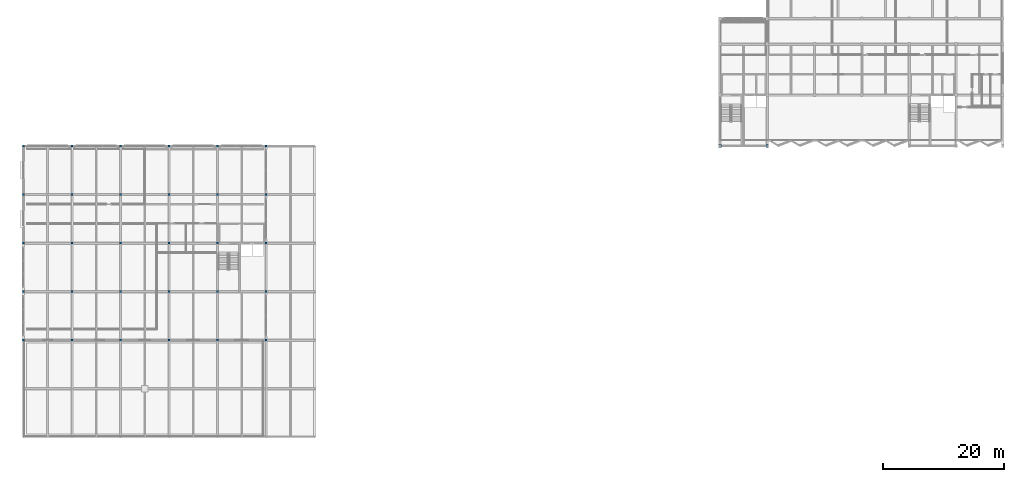
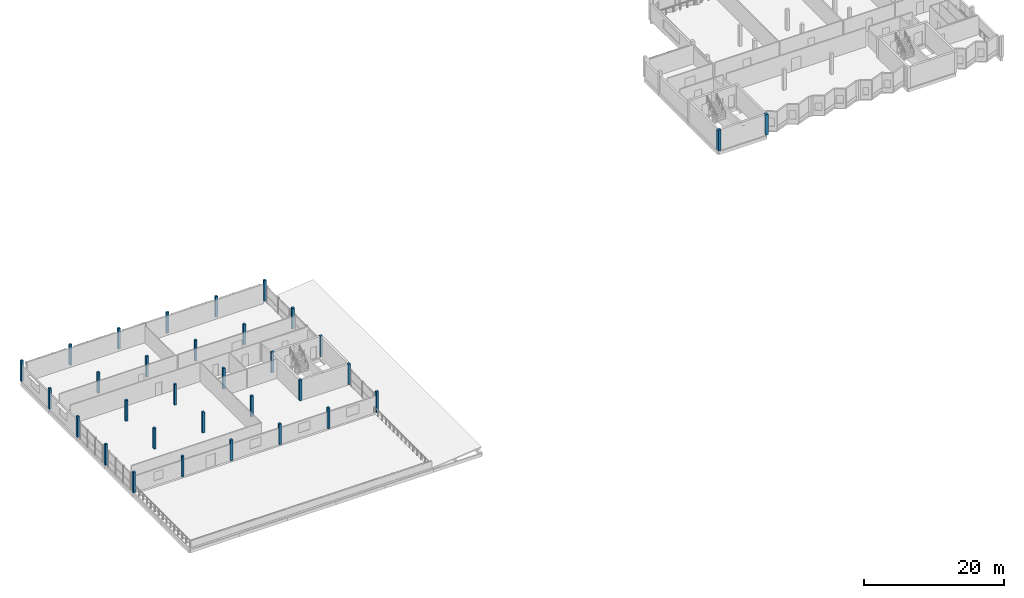
# One storey, part 1 of 25: 32 columns.
"""IFC4 building model written with IfcOpenShell, lengths in metres."""

from ifc_helpers import new_model, si_unit, direction, frame, origin, origin_2d, place, context, subcontext, project, spatial, rectangle, extrude, material, material_profile, profile_set, type_object, element, save


model = new_model("IFC4")

# Units and contexts
model_context = context("Model", 3, precision=1e-05, world=origin(), true_north=direction((0.0, 1.0)))
body_context = subcontext(model_context, "Body", "Model", "MODEL_VIEW")
ifc_project = project(units=[si_unit("LENGTHUNIT", "METRE"), si_unit("AREAUNIT", "SQUARE_METRE"), si_unit("VOLUMEUNIT", "CUBIC_METRE"), si_unit("PLANEANGLEUNIT", "RADIAN"), si_unit("MASSUNIT", "GRAM", prefix="KILO")], contexts=[model_context])

# Site, building, storey
site_placement = place(None, origin())
site = spatial("IfcSite", under=ifc_project, at=site_placement, CompositionType="ELEMENT")
building_placement = place(site_placement, origin())
building = spatial("IfcBuilding", under=site, at=building_placement, Name="Vharandega Faculty of Natural Sciences", CompositionType="ELEMENT")
storey_placement = place(building_placement, frame((0.0, 0.0, 25.199951171875)))
storey = spatial("IfcBuildingStorey", under=building, at=storey_placement, Name="L06", CompositionType="ELEMENT", Elevation=25.199951171875)

# Columns
ifc_material_1 = material(Name="Glulam GL32h", Category="wood")
ifc_material_profile_1 = material_profile(ifc_material_1, rectangle(XDim=0.360107421875, YDim=0.360107421875, at=origin_2d()), Name="GL32h 360x360")
ifc_profile_set_1 = profile_set([ifc_material_profile_1], Name="Glulam GL32h")
column_type_1 = type_object("IfcColumnType", Name="Glulam Column 360x360", PredefinedType="COLUMN", material=ifc_profile_set_1)
for number, where, z_axis, x_axis, name in (
    (1, (0.0, 32.0, 0.0), (0.0, 0.0, 1.0), (1.0, 0.0, 0.0), "Column 1/E L06"),
    (2, (0.0, 40.0, 0.0), (0.0, 0.0, 1.0), (1.0, 0.0, 0.0), "Column 1/F L06"),
    (3, (0.0, 48.0, 0.0), (0.0, 0.0, 1.0), (1.0, 0.0, 0.0), "Column 1/G L06"),
    (4, (0.0, 56.0, 0.0), (0.0, 0.0, 1.0), (1.0, 0.0, 0.0), "Column 1/H L06"),
    (5, (0.0, 64.0, 0.0), (0.0, 0.0, 1.0), (1.0, 0.0, 0.0), "Column 1/J L06"),
    (6, (8.0, 32.0, 0.0), (0.0, 0.0, 1.0), (1.0, 0.0, 0.0), "Column 2/E L06"),
    (7, (8.0, 40.0, 0.0), (0.0, 0.0, 1.0), (1.0, 0.0, 0.0), "Column 2/F L06"),
    (8, (8.0, 48.0, 0.0), (0.0, 0.0, 1.0), (1.0, 0.0, 0.0), "Column 2/G L06"),
    (9, (8.0, 56.0, 0.0), (0.0, 0.0, 1.0), (1.0, 0.0, 0.0), "Column 2/H L06"),
    (10, (8.0, 64.0, 0.0), (0.0, 0.0, 1.0), (1.0, 0.0, 0.0), "Column 2/J L06"),
    (11, (16.0, 32.0, 0.0), (0.0, 0.0, 1.0), (1.0, 0.0, 0.0), "Column 3/E L06"),
    (12, (16.0, 40.0, 0.0), (0.0, 0.0, 1.0), (1.0, 0.0, 0.0), "Column 3/F L06"),
    (13, (16.0, 48.0, 0.0), (0.0, 0.0, 1.0), (1.0, 0.0, 0.0), "Column 3/G L06"),
    (14, (16.0, 56.0, 0.0), (0.0, 0.0, 1.0), (1.0, 0.0, 0.0), "Column 3/H L06"),
    (15, (16.0, 64.0, 0.0), (0.0, 0.0, 1.0), (1.0, 0.0, 0.0), "Column 3/J L06"),
    (16, (24.0, 32.0, 0.0), (0.0, 0.0, 1.0), (1.0, 0.0, 0.0), "Column 4/E L06"),
    (17, (24.0, 40.0, 0.0), (0.0, 0.0, 1.0), (1.0, 0.0, 0.0), "Column 4/F L06"),
    (18, (24.0, 48.0, 0.0), (0.0, 0.0, 1.0), (1.0, 0.0, 0.0), "Column 4/G L06"),
    (19, (24.0, 56.0, 0.0), (0.0, 0.0, 1.0), (1.0, 0.0, 0.0), "Column 4/H L06"),
    (20, (24.0, 64.0, 0.0), (0.0, 0.0, 1.0), (1.0, 0.0, 0.0), "Column 4/J L06"),
    (21, (32.0, 32.0, 0.0), (0.0, 0.0, 1.0), (1.0, 0.0, 0.0), "Column 5/E L06"),
    (22, (32.0, 40.0, 0.0), (0.0, 0.0, 1.0), (1.0, 0.0, 0.0), "Column 5/F L06"),
    (23, (32.0, 48.0, 0.0), (0.0, 0.0, 1.0), (1.0, 0.0, 0.0), "Column 5/G L06"),
    (24, (32.0, 56.0, 0.0), (0.0, 0.0, 1.0), (1.0, 0.0, 0.0), "Column 5/H L06"),
    (25, (32.0, 64.0, 0.0), (0.0, 0.0, 1.0), (1.0, 0.0, 0.0), "Column 5/J L06"),
    (26, (40.0, 32.0, 0.0), (0.0, 0.0, 1.0), (1.0, 0.0, 0.0), "Column 6/E L06"),
    (27, (40.0, 40.0, 0.0), (0.0, 0.0, 1.0), (1.0, 0.0, 0.0), "Column 6/F L06"),
    (28, (40.0, 48.0, 0.0), (0.0, 0.0, 1.0), (1.0, 0.0, 0.0), "Column 6/G L06"),
    (29, (40.0, 56.0, 0.0), (0.0, 0.0, 1.0), (1.0, 0.0, 0.0), "Column 6/H L06"),
    (30, (40.0, 64.0, 0.0), (0.0, 0.0, 1.0), (1.0, 0.0, 0.0), "Column 6/J L06"),
):
    element("IfcColumn", number, at=place(storey_placement, frame(where, z_axis=z_axis, x_axis=x_axis)), inside=storey, type_object=column_type_1, Name=name, PredefinedType="COLUMN", context=body_context, shape_type="SweptSolid", body=[
        extrude(rectangle(XDim=0.360107421875, YDim=0.360107421875, at=origin_2d()), origin(), (0.0, 0.0, 1.0), 3.60009765625),
    ])
ifc_material_2 = material(Name="Glulam GL32h", Category="wood")
ifc_material_profile_2 = material_profile(ifc_material_2, rectangle(XDim=0.449951171875, YDim=0.449951171875, at=origin_2d()), Name="GL32h 450x450")
ifc_profile_set_2 = profile_set([ifc_material_profile_2], Name="Glulam GL32h")
column_type_2 = type_object("IfcColumnType", Name="Glulam Column 450x450", PredefinedType="COLUMN", material=ifc_profile_set_2)
for number, where, z_axis, x_axis, name in (
    (31, (114.800048828125, 64.0, 0.0), (0.0, 0.0, 1.0), (1.0, 0.0, 0.0), "Column 15/J L06"),
    (32, (122.60009765625, 64.0, 0.0), (0.0, 0.0, 1.0), (1.0, 0.0, 0.0), "Column 16/J L06"),
):
    element("IfcColumn", number, at=place(storey_placement, frame(where, z_axis=z_axis, x_axis=x_axis)), inside=storey, type_object=column_type_2, Name=name, PredefinedType="COLUMN", context=body_context, shape_type="SweptSolid", body=[
        extrude(rectangle(XDim=0.449951171875, YDim=0.449951171875, at=origin_2d()), origin(), (0.0, 0.0, 1.0), 3.60009765625),
    ])

save(model, "model.ifc")
